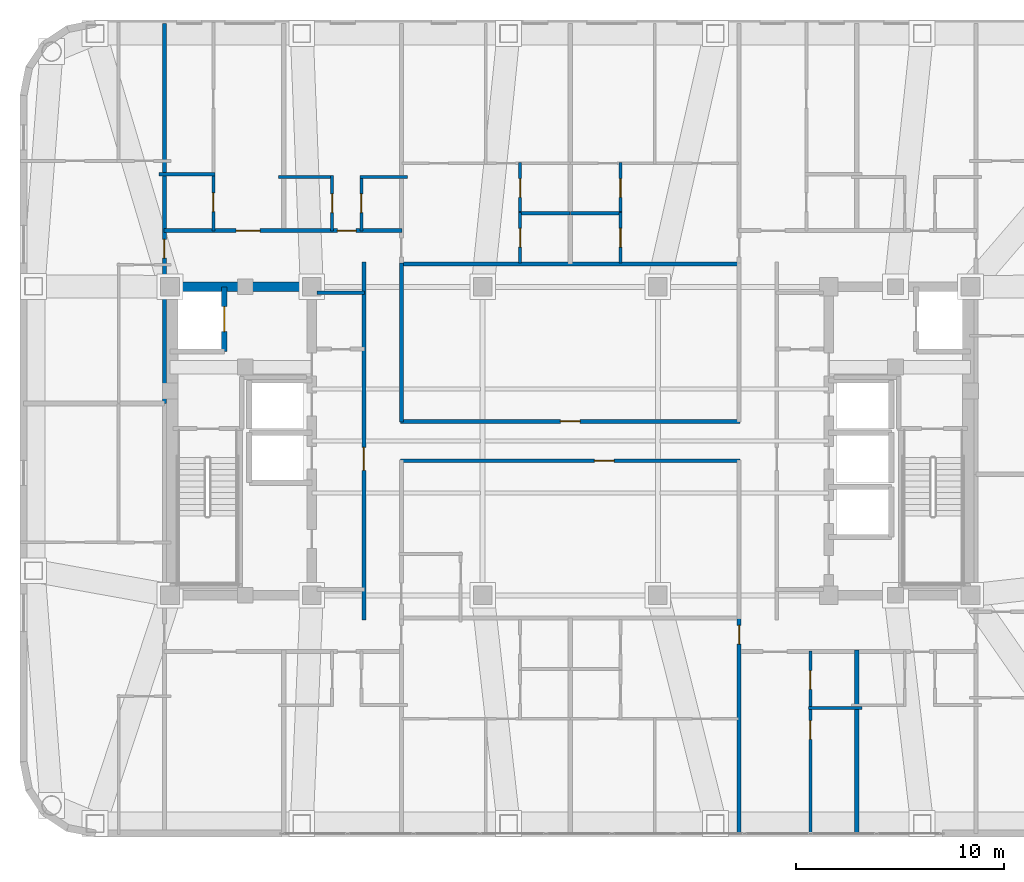
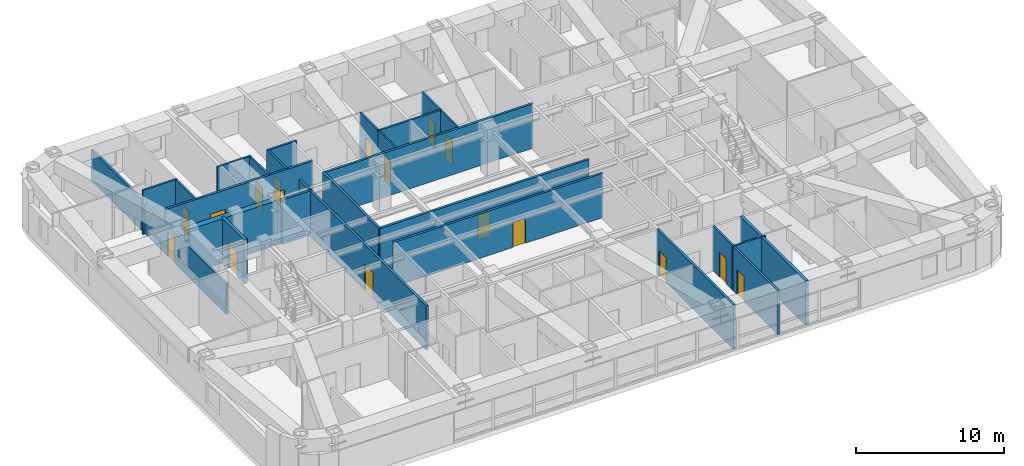
# One storey, part 10 of 16: 27 walls, 17 doors, 17 openings.
"""IFC4 building model written with IfcOpenShell, lengths in metres."""

from ifc_helpers import new_model, si_unit, direction, frame, frame_2d, origin, place, context, subcontext, project, spatial, rectangle, extrude, material, layer, layer_set, type_object, element, fill, save


model = new_model("IFC4")

# Units and contexts
model_context = context("Model", 3, precision=1e-05, world=origin(), true_north=direction((0.0, 1.0)))
body_context = subcontext(model_context, "Body", "Model", "MODEL_VIEW")
ifc_project = project(units=[si_unit("LENGTHUNIT", "METRE"), si_unit("AREAUNIT", "SQUARE_METRE"), si_unit("VOLUMEUNIT", "CUBIC_METRE"), si_unit("PLANEANGLEUNIT", "RADIAN"), si_unit("MASSUNIT", "GRAM", prefix="KILO")], contexts=[model_context])

# Site, building, storey
site_placement = place(None, origin())
site = spatial("IfcSite", under=ifc_project, at=site_placement, CompositionType="ELEMENT")
building_placement = place(site_placement, origin())
building = spatial("IfcBuilding", under=site, at=building_placement, Name="Voryun Gate Residences", CompositionType="ELEMENT")
storey_placement = place(building_placement, frame((0.0, 0.0, 200.199951171875)))
storey = spatial("IfcBuildingStorey", under=building, at=storey_placement, Name="L49", CompositionType="ELEMENT", Elevation=200.199951171875)

# Walls
ifc_material_1 = material(Name="Concrete C50/60", Category="concrete")
ifc_layer_1 = layer(ifc_material_1, 0.449951171875, Name="CW_CORE_450")
ifc_layer_set_1 = layer_set([ifc_layer_1], Name="Concrete C50/60")
wall_type_1 = type_object("IfcWallType", Name="CW_CORE_450", PredefinedType="SHEAR", material=ifc_layer_set_1)
wall_1_placement = place(storey_placement, frame((-19.425048828125, 7.39990234375, 0.0), z_axis=(0.0, 0.0, 1.0), x_axis=(1.0, 0.0, 0.0)))
element("IfcWall", 1, at=wall_1_placement, inside=storey, type_object=wall_type_1, Name="L49 Core shear wall CW-L49-WN", PredefinedType="SHEAR", context=body_context, shape_type="SweptSolid", body=[
    extrude(rectangle(XDim=7.25, YDim=0.449951171875, at=frame_2d((3.625, 0.0))), origin(), (0.0, 0.0, 1.0), 3.650146484375),
])
ifc_material_2 = material(Name="Gypsum acoustic fireboard")
ifc_layer_2 = layer(ifc_material_2, 0.179931640625, Name="W_CORR_RATED_180")
ifc_layer_set_2 = layer_set([ifc_layer_2], Name="Gypsum acoustic fireboard")
wall_type_2 = type_object("IfcWallType", Name="W_CORR_RATED_180", PredefinedType="PARTITIONING", material=ifc_layer_set_2)
wall_2_placement = place(storey_placement, frame((-12.14990234375, 7.1201171875, 0.0), z_axis=(0.0, 0.0, 1.0), x_axis=(1.0, 0.0, 0.0)))
element("IfcWall", 2, at=wall_2_placement, inside=storey, type_object=wall_type_2, Name="Partition wall WP-L49-PLBN-W", PredefinedType="PARTITIONING", context=body_context, shape_type="SweptSolid", body=[
    extrude(rectangle(XDim=2.27001953125, YDim=0.179931640625, at=frame_2d((1.135009765625, 0.0))), origin(), (0.0, 0.0, 1.0), 3.650146484375),
])

# Wall, opening, door
wall_3_placement = place(storey_placement, frame((-9.89990234375, -8.580078125, 0.0), z_axis=(0.0, 0.0, 1.0), x_axis=(0.0, 1.0, 0.0)))
wall_3 = element("IfcWall", 3, at=wall_3_placement, inside=storey, type_object=wall_type_2, Name="Partition wall WP-L49-PLBW-FULL", PredefinedType="PARTITIONING", context=body_context, shape_type="SweptSolid", body=[
    extrude(rectangle(XDim=17.16015625, YDim=0.179931640625, at=frame_2d((8.580078125, 0.0))), origin(), (0.0, 0.0, 1.0), 3.650146484375),
])
opening_1_placement = place(wall_3_placement, frame((7.172119140625, 0.0, 0.0)))
opening_1 = element("IfcOpeningElement", 4, at=opening_1_placement, cuts=wall_3, Name="Opening D-FD60-2", PredefinedType="OPENING", context=body_context, shape_type="SweptSolid", body=[
    extrude(rectangle(XDim=1.10009765625, YDim=2.050048828125, at=frame_2d((0.550048828125, 1.02490234375))), frame((0.0, 0.099853515625, 0.0), z_axis=(0.0, -1.0, 0.0), x_axis=(1.0, 0.0, 0.0)), (0.0, 0.0, 1.0), 0.199951171875),
])
ifc_material_3 = material(Name="Painted steel fire door", Category="steel")
door_type_1 = type_object("IfcDoorType", Name="DR_FD60_FFLOB_1100", OperationType="NOTDEFINED", PredefinedType="DOOR", material=ifc_material_3)
door_1_placement = place(opening_1_placement, origin())
door_1 = element("IfcDoor", 5, at=door_1_placement, inside=storey, type_object=door_type_1, Name="Door DR-L49-PLBW-COR", OperationType="SINGLE_SWING_LEFT", OverallHeight=2.050048828125, OverallWidth=1.10009765625, PredefinedType="DOOR", context=body_context, shape_type="SweptSolid", body=[
    extrude(rectangle(XDim=1.10009765625, YDim=2.050048828125, at=frame_2d((0.550048828125, 1.02490234375))), frame((0.0, 0.02490234375, 0.0), z_axis=(0.0, -1.0, 0.0), x_axis=(1.0, 0.0, 0.0)), (0.0, 0.0, 1.0), 0.050048828125),
])
fill(opening_1, door_1)

# Wall
wall_4_placement = place(storey_placement, frame((-8.14990234375, 8.489990234375, 0.0), z_axis=(0.0, 0.0, 1.0), x_axis=(1.0, 0.0, 0.0)))
element("IfcWall", 6, at=wall_4_placement, inside=storey, type_object=wall_type_2, Name="Partition wall WP-L49-Z2N", PredefinedType="PARTITIONING", context=body_context, shape_type="SweptSolid", body=[
    extrude(rectangle(XDim=16.2998046875, YDim=0.179931640625, at=frame_2d((8.14990234375, 0.0))), origin(), (0.0, 0.0, 1.0), 3.650146484375),
])

# Wall, opening, door
wall_5_placement = place(storey_placement, frame((-8.14990234375, 0.93994140625, 0.0), z_axis=(0.0, 0.0, 1.0), x_axis=(1.0, 0.0, 0.0)))
wall_5 = element("IfcWall", 7, at=wall_5_placement, inside=storey, type_object=wall_type_2, Name="Partition wall WP-L49-Z2HN", PredefinedType="PARTITIONING", context=body_context, shape_type="SweptSolid", body=[
    extrude(rectangle(XDim=16.2998046875, YDim=0.179931640625, at=frame_2d((8.14990234375, 0.0))), origin(), (0.0, 0.0, 1.0), 3.650146484375),
])
opening_2_placement = place(wall_5_placement, frame((7.675048828125, 0.0, 0.0)))
opening_2 = element("IfcOpeningElement", 8, at=opening_2_placement, cuts=wall_5, Name="Opening D-INT-1", PredefinedType="OPENING", context=body_context, shape_type="SweptSolid", body=[
    extrude(rectangle(XDim=0.949951171875, YDim=2.050048828125, at=frame_2d((0.47509765625, 1.02490234375))), frame((0.0, 0.099853515625, 0.0), z_axis=(0.0, -1.0, 0.0), x_axis=(1.0, 0.0, 0.0)), (0.0, 0.0, 1.0), 0.199951171875),
])
ifc_material_4 = material(Name="Architectural oak veneer")
door_type_2 = type_object("IfcDoorType", Name="DR_INT_ROOM_950", OperationType="NOTDEFINED", PredefinedType="DOOR", material=ifc_material_4)
door_2_placement = place(opening_2_placement, origin())
door_2 = element("IfcDoor", 9, at=door_2_placement, inside=storey, type_object=door_type_2, Name="Door DR-L49-Z2NH", OperationType="SINGLE_SWING_LEFT", OverallHeight=2.050048828125, OverallWidth=0.949951171875, PredefinedType="DOOR", context=body_context, shape_type="SweptSolid", body=[
    extrude(rectangle(XDim=0.949951171875, YDim=2.050048828125, at=frame_2d((0.47509765625, 1.02490234375))), frame((0.0, 0.02490234375, 0.0), z_axis=(0.0, -1.0, 0.0), x_axis=(1.0, 0.0, 0.0)), (0.0, 0.0, 1.0), 0.050048828125),
])
fill(opening_2, door_2)

wall_6_placement = place(storey_placement, frame((-8.14990234375, -0.93994140625, 0.0), z_axis=(0.0, 0.0, 1.0), x_axis=(1.0, 0.0, 0.0)))
wall_6 = element("IfcWall", 10, at=wall_6_placement, inside=storey, type_object=wall_type_2, Name="Partition wall WP-L49-Z2HS", PredefinedType="PARTITIONING", context=body_context, shape_type="SweptSolid", body=[
    extrude(rectangle(XDim=16.2998046875, YDim=0.179931640625, at=frame_2d((8.14990234375, 0.0))), origin(), (0.0, 0.0, 1.0), 3.650146484375),
])
opening_3_placement = place(wall_6_placement, frame((9.304931640625, 0.0, 0.0)))
opening_3 = element("IfcOpeningElement", 11, at=opening_3_placement, cuts=wall_6, Name="Opening D-INT-1", PredefinedType="OPENING", context=body_context, shape_type="SweptSolid", body=[
    extrude(rectangle(XDim=0.949951171875, YDim=2.050048828125, at=frame_2d((0.47509765625, 1.02490234375))), frame((0.0, 0.099853515625, 0.0), z_axis=(0.0, -1.0, 0.0), x_axis=(1.0, 0.0, 0.0)), (0.0, 0.0, 1.0), 0.199951171875),
])
door_3_placement = place(opening_3_placement, origin())
door_3 = element("IfcDoor", 12, at=door_3_placement, inside=storey, type_object=door_type_2, Name="Door DR-L49-Z2SH", OperationType="SINGLE_SWING_RIGHT", OverallHeight=2.050048828125, OverallWidth=0.949951171875, PredefinedType="DOOR", context=body_context, shape_type="SweptSolid", body=[
    extrude(rectangle(XDim=0.949951171875, YDim=2.050048828125, at=frame_2d((0.47509765625, 1.02490234375))), frame((0.0, 0.02490234375, 0.0), z_axis=(0.0, -1.0, 0.0), x_axis=(1.0, 0.0, 0.0)), (0.0, 0.0, 1.0), 0.050048828125),
])
fill(opening_3, door_3)

# Wall
wall_7_placement = place(storey_placement, frame((-8.10009765625, 0.919921875, 0.0), z_axis=(0.0, 0.0, 1.0), x_axis=(0.0, 1.0, 0.0)))
element("IfcWall", 13, at=wall_7_placement, inside=storey, type_object=wall_type_2, Name="Partition wall WP-L49-Z2WL1", PredefinedType="PARTITIONING", context=body_context, shape_type="SweptSolid", body=[
    extrude(rectangle(XDim=7.610107421875, YDim=0.179931640625, at=frame_2d((3.80517578125, 0.0))), origin(), (0.0, 0.0, 1.0), 3.650146484375),
])

# Wall, openings, doors
wall_8_placement = place(storey_placement, frame((-19.5, 10.10009765625, 0.0), z_axis=(0.0, 0.0, 1.0), x_axis=(1.0, 0.0, 0.0)))
wall_8 = element("IfcWall", 14, at=wall_8_placement, inside=storey, type_object=wall_type_2, Name="Partition wall WP-L49-NCORR-W", PredefinedType="PARTITIONING", context=body_context, shape_type="SweptSolid", body=[
    extrude(rectangle(XDim=11.419921875, YDim=0.179931640625, at=frame_2d((5.7099609375, 0.0))), origin(), (0.0, 0.0, 1.0), 3.650146484375),
])
opening_4_placement = place(wall_8_placement, frame((3.46435546875, 0.0, 0.0)))
opening_4 = element("IfcOpeningElement", 15, at=opening_4_placement, cuts=wall_8, Name="Opening D-UNIT-1", PredefinedType="OPENING", context=body_context, shape_type="SweptSolid", body=[
    extrude(rectangle(XDim=1.14990234375, YDim=2.050048828125, at=frame_2d((0.574951171875, 1.02490234375))), frame((0.0, 0.099853515625, 0.0), z_axis=(0.0, -1.0, 0.0), x_axis=(1.0, 0.0, 0.0)), (0.0, 0.0, 1.0), 0.199951171875),
])
opening_5_placement = place(wall_8_placement, frame((8.32275390625, 0.0, 0.0)))
opening_5 = element("IfcOpeningElement", 16, at=opening_5_placement, cuts=wall_8, Name="Opening D-INT-2", PredefinedType="OPENING", context=body_context, shape_type="SweptSolid", body=[
    extrude(rectangle(XDim=0.89990234375, YDim=2.050048828125, at=frame_2d((0.449951171875, 1.02490234375))), frame((0.0, 0.099853515625, 0.0), z_axis=(0.0, -1.0, 0.0), x_axis=(1.0, 0.0, 0.0)), (0.0, 0.0, 1.0), 0.199951171875),
])
ifc_material_5 = material(Name="Architectural oak veneer")
door_type_3 = type_object("IfcDoorType", Name="DR_INT_BATH_900", OperationType="NOTDEFINED", PredefinedType="DOOR", material=ifc_material_5)
door_4_placement = place(opening_5_placement, origin())
door_4 = element("IfcDoor", 17, at=door_4_placement, inside=storey, type_object=door_type_3, Name="Door DR-L49-NENT-2", OperationType="SINGLE_SWING_RIGHT", OverallHeight=2.050048828125, OverallWidth=0.89990234375, PredefinedType="DOOR", context=body_context, shape_type="SweptSolid", body=[
    extrude(rectangle(XDim=0.89990234375, YDim=2.050048828125, at=frame_2d((0.449951171875, 1.02490234375))), frame((0.0, 0.02490234375, 0.0), z_axis=(0.0, -1.0, 0.0), x_axis=(1.0, 0.0, 0.0)), (0.0, 0.0, 1.0), 0.050048828125),
])
fill(opening_5, door_4)
ifc_material_6 = material(Name="Armoured timber-clad fire door", Category="wood")
door_type_4 = type_object("IfcDoorType", Name="DR_UNIT_ENTRY_1150", OperationType="NOTDEFINED", PredefinedType="DOOR", material=ifc_material_6)
door_5_placement = place(opening_4_placement, origin())
door_5 = element("IfcDoor", 18, at=door_5_placement, inside=storey, type_object=door_type_4, Name="Door DR-L49-NENT-1", OperationType="SINGLE_SWING_LEFT", OverallHeight=2.050048828125, OverallWidth=1.14990234375, PredefinedType="DOOR", context=body_context, shape_type="SweptSolid", body=[
    extrude(rectangle(XDim=1.14990234375, YDim=2.050048828125, at=frame_2d((0.574951171875, 1.02490234375))), frame((0.0, 0.02490234375, 0.0), z_axis=(0.0, -1.0, 0.0), x_axis=(1.0, 0.0, 0.0)), (0.0, 0.0, 1.0), 0.050048828125),
])
fill(opening_4, door_5)

# Wall, opening, door
wall_9_placement = place(storey_placement, frame((8.10009765625, -18.830078125, 0.0), z_axis=(0.0, 0.0, 1.0), x_axis=(0.0, 1.0, 0.0)))
wall_9 = element("IfcWall", 19, at=wall_9_placement, inside=storey, type_object=wall_type_2, Name="Partition wall WP-L49-SZV-2", PredefinedType="PARTITIONING", context=body_context, shape_type="SweptSolid", body=[
    extrude(rectangle(XDim=10.340087890625, YDim=0.179931640625, at=frame_2d((5.169921875, 0.0))), origin(), (0.0, 0.0, 1.0), 3.650146484375),
])
opening_6_placement = place(wall_9_placement, frame((9.089599609375, 0.0, 0.0)))
opening_6 = element("IfcOpeningElement", 20, at=opening_6_placement, cuts=wall_9, Name="Opening D-INT-2", PredefinedType="OPENING", context=body_context, shape_type="SweptSolid", body=[
    extrude(rectangle(XDim=0.89990234375, YDim=2.050048828125, at=frame_2d((0.449951171875, 1.02490234375))), frame((0.0, 0.099853515625, 0.0), z_axis=(0.0, -1.0, 0.0), x_axis=(1.0, 0.0, 0.0)), (0.0, 0.0, 1.0), 0.199951171875),
])
door_6_placement = place(opening_6_placement, origin())
door_6 = element("IfcDoor", 21, at=door_6_placement, inside=storey, type_object=door_type_3, Name="Door DR-L49-SZENT-2", OperationType="SINGLE_SWING_RIGHT", OverallHeight=2.050048828125, OverallWidth=0.89990234375, PredefinedType="DOOR", context=body_context, shape_type="SweptSolid", body=[
    extrude(rectangle(XDim=0.89990234375, YDim=2.050048828125, at=frame_2d((0.449951171875, 1.02490234375))), frame((0.0, 0.02490234375, 0.0), z_axis=(0.0, -1.0, 0.0), x_axis=(1.0, 0.0, 0.0)), (0.0, 0.0, 1.0), 0.050048828125),
])
fill(opening_6, door_6)

wall_10_placement = place(storey_placement, frame((-19.469970703125, 1.800048828125, 0.0), z_axis=(0.0, 0.0, 1.0), x_axis=(0.0, 1.0, 0.0)))
wall_10 = element("IfcWall", 22, at=wall_10_placement, inside=storey, type_object=wall_type_2, Name="Partition wall WP-L49-WCOR2", PredefinedType="PARTITIONING", context=body_context, shape_type="SweptSolid", body=[
    extrude(rectangle(XDim=18.22998046875, YDim=0.179931640625, at=frame_2d((9.114990234375, 0.0))), origin(), (0.0, 0.0, 1.0), 2.5400390625),
])
opening_7_placement = place(wall_10_placement, frame((6.98046875, 0.0, 0.0)))
opening_7 = element("IfcOpeningElement", 23, at=opening_7_placement, cuts=wall_10, Name="Opening D-INT-2", PredefinedType="OPENING", context=body_context, shape_type="SweptSolid", body=[
    extrude(rectangle(XDim=0.89990234375, YDim=2.050048828125, at=frame_2d((0.449951171875, 1.02490234375))), frame((0.0, 0.099853515625, 0.0), z_axis=(0.0, -1.0, 0.0), x_axis=(1.0, 0.0, 0.0)), (0.0, 0.0, 1.0), 0.199951171875),
])
door_7_placement = place(opening_7_placement, origin())
door_7 = element("IfcDoor", 24, at=door_7_placement, inside=storey, type_object=door_type_3, Name="Door DR-L49-WE2", OperationType="SINGLE_SWING_RIGHT", OverallHeight=2.050048828125, OverallWidth=0.89990234375, PredefinedType="DOOR", context=body_context, shape_type="SweptSolid", body=[
    extrude(rectangle(XDim=0.89990234375, YDim=2.050048828125, at=frame_2d((0.449951171875, 1.02490234375))), frame((0.0, 0.02490234375, 0.0), z_axis=(0.0, -1.0, 0.0), x_axis=(1.0, 0.0, 0.0)), (0.0, 0.0, 1.0), 0.050048828125),
])
fill(opening_7, door_7)

# Wall
ifc_material_7 = material(Name="Concrete C40/50", Category="concrete")
ifc_layer_3 = layer(ifc_material_7, 0.219970703125, Name="W_PARTY_ACOUSTIC_220")
ifc_layer_set_3 = layer_set([ifc_layer_3], Name="Concrete C40/50")
wall_type_3 = type_object("IfcWallType", Name="W_PARTY_ACOUSTIC_220", PredefinedType="PARTITIONING", material=ifc_layer_set_3)
wall_11_placement = place(storey_placement, frame((13.739990234375, -18.830078125, 0.0), z_axis=(0.0, 0.0, 1.0), x_axis=(0.0, 1.0, 0.0)))
element("IfcWall", 25, at=wall_11_placement, inside=storey, type_object=wall_type_3, Name="Partition wall WP-L49-SPTY-4", PredefinedType="PARTITIONING", context=body_context, shape_type="SweptSolid", body=[
    extrude(rectangle(XDim=8.81005859375, YDim=0.219970703125, at=frame_2d((4.405029296875, 0.0))), origin(), (0.0, 0.0, 1.0), 3.650146484375),
])

# Wall, opening, door
ifc_material_8 = material(Name="Concrete C50/60", Category="concrete")
ifc_layer_4 = layer(ifc_material_8, 0.25, Name="W_SHAFT_RC250")
ifc_layer_set_4 = layer_set([ifc_layer_4], Name="Concrete C50/60")
wall_type_4 = type_object("IfcWallType", Name="W_SHAFT_RC250", PredefinedType="SOLIDWALL", material=ifc_layer_set_4)
wall_12_placement = place(storey_placement, frame((-16.60009765625, 4.300048828125, 0.0), z_axis=(0.0, 0.0, 1.0), x_axis=(0.0, 1.0, 0.0)))
wall_12 = element("IfcWall", 26, at=wall_12_placement, inside=storey, type_object=wall_type_4, Name="Lift shaft wall WSH-L49-EL-FF-W1-E", PredefinedType="SOLIDWALL", context=body_context, shape_type="SweptSolid", body=[
    extrude(rectangle(XDim=3.099853515625, YDim=0.25, at=frame_2d((1.5498046875, 0.0))), origin(), (0.0, 0.0, 1.0), 3.650146484375),
])
opening_8_placement = place(wall_12_placement, frame((0.949951171875, 0.0, 0.0)))
opening_8 = element("IfcOpeningElement", 27, at=opening_8_placement, cuts=wall_12, Name="Opening LD1", PredefinedType="OPENING", context=body_context, shape_type="SweptSolid", body=[
    extrude(rectangle(XDim=1.199951171875, YDim=2.050048828125, at=frame_2d((0.60009765625, 1.02490234375))), frame((0.0, 0.135009765625, 0.0), z_axis=(0.0, -1.0, 0.0), x_axis=(1.0, 0.0, 0.0)), (0.0, 0.0, 1.0), 0.27001953125),
])
ifc_material_9 = material(Name="Anodised aluminium", Category="aluminium")
door_type_5 = type_object("IfcDoorType", Name="DR_LD_FF_1200", OperationType="NOTDEFINED", PredefinedType="DOOR", material=ifc_material_9)
door_8_placement = place(opening_8_placement, origin())
door_8 = element("IfcDoor", 28, at=door_8_placement, inside=storey, type_object=door_type_5, Name="Lift EL-FF-W1 sliding landing door L49", OperationType="SLIDING_TO_LEFT", OverallHeight=2.050048828125, OverallWidth=1.199951171875, PredefinedType="DOOR", context=body_context, shape_type="SweptSolid", body=[
    extrude(rectangle(XDim=1.199951171875, YDim=2.050048828125, at=frame_2d((0.60009765625, 1.02490234375))), frame((0.0, 0.02490234375, 0.0), z_axis=(0.0, -1.0, 0.0), x_axis=(1.0, 0.0, 0.0)), (0.0, 0.0, 1.0), 0.050048828125),
])
fill(opening_8, door_8)

ifc_material_10 = material(Name="Gypsum acoustic partition")
ifc_layer_5 = layer(ifc_material_10, 0.125, Name="W_UNIT_PART_125")
ifc_layer_set_5 = layer_set([ifc_layer_5], Name="Gypsum acoustic partition")
wall_type_5 = type_object("IfcWallType", Name="W_UNIT_PART_125", PredefinedType="PARTITIONING", material=ifc_layer_set_5)
wall_13_placement = place(storey_placement, frame((-11.429931640625, 10.080078125, 0.0), z_axis=(0.0, 0.0, 1.0), x_axis=(0.0, 1.0, 0.0)))
wall_13 = element("IfcWall", 29, at=wall_13_placement, inside=storey, type_object=wall_type_5, Name="Partition wall WP-L49-N2-CVK", PredefinedType="PARTITIONING", context=body_context, shape_type="SweptSolid", body=[
    extrude(rectangle(XDim=2.64990234375, YDim=0.125, at=frame_2d((1.324951171875, 0.0))), origin(), (0.0, 0.0, 1.0), 3.650146484375),
])
opening_9_placement = place(wall_13_placement, frame((0.875, 0.0, 0.0)))
opening_9 = element("IfcOpeningElement", 30, at=opening_9_placement, cuts=wall_13, Name="Opening D-INT-2", PredefinedType="OPENING", context=body_context, shape_type="SweptSolid", body=[
    extrude(rectangle(XDim=0.89990234375, YDim=2.050048828125, at=frame_2d((0.449951171875, 1.02490234375))), frame((0.0, 0.072509765625, 0.0), z_axis=(0.0, -1.0, 0.0), x_axis=(1.0, 0.0, 0.0)), (0.0, 0.0, 1.0), 0.14501953125),
])
door_9_placement = place(opening_9_placement, origin())
door_9 = element("IfcDoor", 31, at=door_9_placement, inside=storey, type_object=door_type_3, Name="Door DR-L49-N2-DK", OperationType="SINGLE_SWING_LEFT", OverallHeight=2.050048828125, OverallWidth=0.89990234375, PredefinedType="DOOR", context=body_context, shape_type="SweptSolid", body=[
    extrude(rectangle(XDim=0.89990234375, YDim=2.050048828125, at=frame_2d((0.449951171875, 1.02490234375))), frame((0.0, 0.02490234375, 0.0), z_axis=(0.0, -1.0, 0.0), x_axis=(1.0, 0.0, 0.0)), (0.0, 0.0, 1.0), 0.050048828125),
])
fill(opening_9, door_9)

# Wall
wall_14_placement = place(storey_placement, frame((-14.0, 12.669921875, 0.0), z_axis=(0.0, 0.0, 1.0), x_axis=(1.0, 0.0, 0.0)))
element("IfcWall", 32, at=wall_14_placement, inside=storey, type_object=wall_type_5, Name="Partition wall WP-L49-N2-CHK", PredefinedType="PARTITIONING", context=body_context, shape_type="SweptSolid", body=[
    extrude(rectangle(XDim=2.6298828125, YDim=0.125, at=frame_2d((1.31494140625, 0.0))), origin(), (0.0, 0.0, 1.0), 3.650146484375),
])

# Wall, opening, door
wall_15_placement = place(storey_placement, frame((-2.409912109375, 8.550048828125, 0.0), z_axis=(0.0, 0.0, 1.0), x_axis=(0.0, 1.0, 0.0)))
wall_15 = element("IfcWall", 33, at=wall_15_placement, inside=storey, type_object=wall_type_5, Name="Partition wall WP-L49-NC1-VK1", PredefinedType="PARTITIONING", context=body_context, shape_type="SweptSolid", body=[
    extrude(rectangle(XDim=2.409912109375, YDim=0.125, at=frame_2d((1.205078125, 0.0))), origin(), (0.0, 0.0, 1.0), 3.650146484375),
])
opening_10_placement = place(wall_15_placement, frame((0.7548828125, 0.0, 0.0)))
opening_10 = element("IfcOpeningElement", 34, at=opening_10_placement, cuts=wall_15, Name="Opening D-INT-2", PredefinedType="OPENING", context=body_context, shape_type="SweptSolid", body=[
    extrude(rectangle(XDim=0.89990234375, YDim=2.050048828125, at=frame_2d((0.449951171875, 1.02490234375))), frame((0.0, 0.072509765625, 0.0), z_axis=(0.0, -1.0, 0.0), x_axis=(1.0, 0.0, 0.0)), (0.0, 0.0, 1.0), 0.14501953125),
])
door_10_placement = place(opening_10_placement, origin())
door_10 = element("IfcDoor", 35, at=door_10_placement, inside=storey, type_object=door_type_3, Name="Door DR-L49-NC1-DK", OperationType="SINGLE_SWING_LEFT", OverallHeight=2.050048828125, OverallWidth=0.89990234375, PredefinedType="DOOR", context=body_context, shape_type="SweptSolid", body=[
    extrude(rectangle(XDim=0.89990234375, YDim=2.050048828125, at=frame_2d((0.449951171875, 1.02490234375))), frame((0.0, 0.02490234375, 0.0), z_axis=(0.0, -1.0, 0.0), x_axis=(1.0, 0.0, 0.0)), (0.0, 0.0, 1.0), 0.050048828125),
])
fill(opening_10, door_10)

wall_16_placement = place(storey_placement, frame((2.409912109375, 8.550048828125, 0.0), z_axis=(0.0, 0.0, 1.0), x_axis=(0.0, 1.0, 0.0)))
wall_16 = element("IfcWall", 36, at=wall_16_placement, inside=storey, type_object=wall_type_5, Name="Partition wall WP-L49-NC2-VK1", PredefinedType="PARTITIONING", context=body_context, shape_type="SweptSolid", body=[
    extrude(rectangle(XDim=2.409912109375, YDim=0.125, at=frame_2d((1.205078125, 0.0))), origin(), (0.0, 0.0, 1.0), 3.650146484375),
])
opening_11_placement = place(wall_16_placement, frame((0.7548828125, 0.0, 0.0)))
opening_11 = element("IfcOpeningElement", 37, at=opening_11_placement, cuts=wall_16, Name="Opening D-INT-2", PredefinedType="OPENING", context=body_context, shape_type="SweptSolid", body=[
    extrude(rectangle(XDim=0.89990234375, YDim=2.050048828125, at=frame_2d((0.449951171875, 1.02490234375))), frame((0.0, 0.072509765625, 0.0), z_axis=(0.0, -1.0, 0.0), x_axis=(1.0, 0.0, 0.0)), (0.0, 0.0, 1.0), 0.14501953125),
])
door_11_placement = place(opening_11_placement, origin())
door_11 = element("IfcDoor", 38, at=door_11_placement, inside=storey, type_object=door_type_3, Name="Door DR-L49-NC2-DK", OperationType="SINGLE_SWING_LEFT", OverallHeight=2.050048828125, OverallWidth=0.89990234375, PredefinedType="DOOR", context=body_context, shape_type="SweptSolid", body=[
    extrude(rectangle(XDim=0.89990234375, YDim=2.050048828125, at=frame_2d((0.449951171875, 1.02490234375))), frame((0.0, 0.02490234375, 0.0), z_axis=(0.0, -1.0, 0.0), x_axis=(1.0, 0.0, 0.0)), (0.0, 0.0, 1.0), 0.050048828125),
])
fill(opening_11, door_11)

# Wall
ifc_material_11 = material(Name="Gypsum moisture-resistant partition")
ifc_layer_6 = layer(ifc_material_11, 0.14990234375, Name="W_WET_PLUMB_150")
ifc_layer_set_6 = layer_set([ifc_layer_6], Name="Gypsum moisture-resistant partition")
wall_type_6 = type_object("IfcWallType", Name="W_WET_PLUMB_150", PredefinedType="PLUMBINGWALL", material=ifc_layer_set_6)
wall_17_placement = place(storey_placement, frame((-19.719970703125, 12.800048828125, 0.0), z_axis=(0.0, 0.0, 1.0), x_axis=(1.0, 0.0, 0.0)))
element("IfcWall", 39, at=wall_17_placement, inside=storey, type_object=wall_type_6, Name="Partition wall WP-L49-N1-SKB", PredefinedType="PLUMBINGWALL", context=body_context, shape_type="SweptSolid", body=[
    extrude(rectangle(XDim=2.678955078125, YDim=0.14990234375, at=frame_2d((1.33935546875, 0.0))), origin(), (0.0, 0.0, 1.0), 3.650146484375),
])

# Wall, opening, door
wall_18_placement = place(storey_placement, frame((-17.12109375, 10.080078125, 0.0), z_axis=(0.0, 0.0, 1.0), x_axis=(0.0, 1.0, 0.0)))
wall_18 = element("IfcWall", 40, at=wall_18_placement, inside=storey, type_object=wall_type_6, Name="Partition wall WP-L49-N1-SVT1", PredefinedType="PLUMBINGWALL", context=body_context, shape_type="SweptSolid", body=[
    extrude(rectangle(XDim=2.760009765625, YDim=0.14990234375, at=frame_2d((1.3798828125, 0.0))), origin(), (0.0, 0.0, 1.0), 3.650146484375),
])
opening_12_placement = place(wall_18_placement, frame((0.929931640625, 0.0, 0.0)))
opening_12 = element("IfcOpeningElement", 41, at=opening_12_placement, cuts=wall_18, Name="Opening D-INT-2", PredefinedType="OPENING", context=body_context, shape_type="SweptSolid", body=[
    extrude(rectangle(XDim=0.89990234375, YDim=2.050048828125, at=frame_2d((0.449951171875, 1.02490234375))), frame((0.0, 0.0849609375, 0.0), z_axis=(0.0, -1.0, 0.0), x_axis=(1.0, 0.0, 0.0)), (0.0, 0.0, 1.0), 0.169921875),
])
door_12_placement = place(opening_12_placement, origin())
door_12 = element("IfcDoor", 42, at=door_12_placement, inside=storey, type_object=door_type_3, Name="Door DR-L49-N1-DB", OperationType="SINGLE_SWING_LEFT", OverallHeight=2.050048828125, OverallWidth=0.89990234375, PredefinedType="DOOR", context=body_context, shape_type="SweptSolid", body=[
    extrude(rectangle(XDim=0.89990234375, YDim=2.050048828125, at=frame_2d((0.449951171875, 1.02490234375))), frame((0.0, 0.02490234375, 0.0), z_axis=(0.0, -1.0, 0.0), x_axis=(1.0, 0.0, 0.0)), (0.0, 0.0, 1.0), 0.050048828125),
])
fill(opening_12, door_12)

wall_19_placement = place(storey_placement, frame((-10.02392578125, 10.080078125, 0.0), z_axis=(0.0, 0.0, 1.0), x_axis=(0.0, 1.0, 0.0)))
wall_19 = element("IfcWall", 43, at=wall_19_placement, inside=storey, type_object=wall_type_6, Name="Partition wall WP-L49-N2-CVB", PredefinedType="PLUMBINGWALL", context=body_context, shape_type="SweptSolid", body=[
    extrude(rectangle(XDim=2.64990234375, YDim=0.14990234375, at=frame_2d((1.324951171875, 0.0))), origin(), (0.0, 0.0, 1.0), 3.650146484375),
])
opening_13_placement = place(wall_19_placement, frame((0.875, 0.0, 0.0)))
opening_13 = element("IfcOpeningElement", 44, at=opening_13_placement, cuts=wall_19, Name="Opening D-INT-2", PredefinedType="OPENING", context=body_context, shape_type="SweptSolid", body=[
    extrude(rectangle(XDim=0.89990234375, YDim=2.050048828125, at=frame_2d((0.449951171875, 1.02490234375))), frame((0.0, 0.0849609375, 0.0), z_axis=(0.0, -1.0, 0.0), x_axis=(1.0, 0.0, 0.0)), (0.0, 0.0, 1.0), 0.169921875),
])
door_13_placement = place(opening_13_placement, origin())
door_13 = element("IfcDoor", 45, at=door_13_placement, inside=storey, type_object=door_type_3, Name="Door DR-L49-N2-DB", OperationType="SINGLE_SWING_RIGHT", OverallHeight=2.050048828125, OverallWidth=0.89990234375, PredefinedType="DOOR", context=body_context, shape_type="SweptSolid", body=[
    extrude(rectangle(XDim=0.89990234375, YDim=2.050048828125, at=frame_2d((0.449951171875, 1.02490234375))), frame((0.0, 0.02490234375, 0.0), z_axis=(0.0, -1.0, 0.0), x_axis=(1.0, 0.0, 0.0)), (0.0, 0.0, 1.0), 0.050048828125),
])
fill(opening_13, door_13)

# Wall
wall_20_placement = place(storey_placement, frame((-10.083984375, 12.669921875, 0.0), z_axis=(0.0, 0.0, 1.0), x_axis=(1.0, 0.0, 0.0)))
element("IfcWall", 46, at=wall_20_placement, inside=storey, type_object=wall_type_6, Name="Partition wall WP-L49-N2-CHB", PredefinedType="PLUMBINGWALL", context=body_context, shape_type="SweptSolid", body=[
    extrude(rectangle(XDim=2.263916015625, YDim=0.14990234375, at=frame_2d((1.1318359375, 0.0))), origin(), (0.0, 0.0, 1.0), 3.650146484375),
])

# Wall, opening, door
wall_21_placement = place(storey_placement, frame((-2.409912109375, 10.89990234375, 0.0), z_axis=(0.0, 0.0, 1.0), x_axis=(0.0, 1.0, 0.0)))
wall_21 = element("IfcWall", 47, at=wall_21_placement, inside=storey, type_object=wall_type_6, Name="Partition wall WP-L49-NC1-VK2", PredefinedType="PLUMBINGWALL", context=body_context, shape_type="SweptSolid", body=[
    extrude(rectangle(XDim=2.47021484375, YDim=0.14990234375, at=frame_2d((1.235107421875, 0.0))), origin(), (0.0, 0.0, 1.0), 3.650146484375),
])
opening_14_placement = place(wall_21_placement, frame((0.784912109375, 0.0, 0.0)))
opening_14 = element("IfcOpeningElement", 48, at=opening_14_placement, cuts=wall_21, Name="Opening D-INT-2", PredefinedType="OPENING", context=body_context, shape_type="SweptSolid", body=[
    extrude(rectangle(XDim=0.89990234375, YDim=2.050048828125, at=frame_2d((0.449951171875, 1.02490234375))), frame((0.0, 0.0849609375, 0.0), z_axis=(0.0, -1.0, 0.0), x_axis=(1.0, 0.0, 0.0)), (0.0, 0.0, 1.0), 0.169921875),
])
door_14_placement = place(opening_14_placement, origin())
door_14 = element("IfcDoor", 49, at=door_14_placement, inside=storey, type_object=door_type_3, Name="Door DR-L49-NC1-DB", OperationType="SINGLE_SWING_RIGHT", OverallHeight=2.050048828125, OverallWidth=0.89990234375, PredefinedType="DOOR", context=body_context, shape_type="SweptSolid", body=[
    extrude(rectangle(XDim=0.89990234375, YDim=2.050048828125, at=frame_2d((0.449951171875, 1.02490234375))), frame((0.0, 0.02490234375, 0.0), z_axis=(0.0, -1.0, 0.0), x_axis=(1.0, 0.0, 0.0)), (0.0, 0.0, 1.0), 0.050048828125),
])
fill(opening_14, door_14)

# Wall
wall_22_placement = place(storey_placement, frame((-2.449951171875, 10.929931640625, 0.0), z_axis=(0.0, 0.0, 1.0), x_axis=(1.0, 0.0, 0.0)))
element("IfcWall", 50, at=wall_22_placement, inside=storey, type_object=wall_type_6, Name="Partition wall WP-L49-NC1-HKB", PredefinedType="PLUMBINGWALL", context=body_context, shape_type="SweptSolid", body=[
    extrude(rectangle(XDim=2.429931640625, YDim=0.14990234375, at=frame_2d((1.21484375, 0.0))), origin(), (0.0, 0.0, 1.0), 3.650146484375),
])

# Wall, opening, door
wall_23_placement = place(storey_placement, frame((2.409912109375, 10.89990234375, 0.0), z_axis=(0.0, 0.0, 1.0), x_axis=(0.0, 1.0, 0.0)))
wall_23 = element("IfcWall", 51, at=wall_23_placement, inside=storey, type_object=wall_type_6, Name="Partition wall WP-L49-NC2-VK2", PredefinedType="PLUMBINGWALL", context=body_context, shape_type="SweptSolid", body=[
    extrude(rectangle(XDim=2.47021484375, YDim=0.14990234375, at=frame_2d((1.235107421875, 0.0))), origin(), (0.0, 0.0, 1.0), 3.650146484375),
])
opening_15_placement = place(wall_23_placement, frame((0.784912109375, 0.0, 0.0)))
opening_15 = element("IfcOpeningElement", 52, at=opening_15_placement, cuts=wall_23, Name="Opening D-INT-2", PredefinedType="OPENING", context=body_context, shape_type="SweptSolid", body=[
    extrude(rectangle(XDim=0.89990234375, YDim=2.050048828125, at=frame_2d((0.449951171875, 1.02490234375))), frame((0.0, 0.0849609375, 0.0), z_axis=(0.0, -1.0, 0.0), x_axis=(1.0, 0.0, 0.0)), (0.0, 0.0, 1.0), 0.169921875),
])
door_15_placement = place(opening_15_placement, origin())
door_15 = element("IfcDoor", 53, at=door_15_placement, inside=storey, type_object=door_type_3, Name="Door DR-L49-NC2-DB", OperationType="SINGLE_SWING_RIGHT", OverallHeight=2.050048828125, OverallWidth=0.89990234375, PredefinedType="DOOR", context=body_context, shape_type="SweptSolid", body=[
    extrude(rectangle(XDim=0.89990234375, YDim=2.050048828125, at=frame_2d((0.449951171875, 1.02490234375))), frame((0.0, 0.02490234375, 0.0), z_axis=(0.0, -1.0, 0.0), x_axis=(1.0, 0.0, 0.0)), (0.0, 0.0, 1.0), 0.050048828125),
])
fill(opening_15, door_15)

# Walls
wall_24_placement = place(storey_placement, frame((0.02001953125, 10.929931640625, 0.0), z_axis=(0.0, 0.0, 1.0), x_axis=(1.0, 0.0, 0.0)))
element("IfcWall", 54, at=wall_24_placement, inside=storey, type_object=wall_type_6, Name="Partition wall WP-L49-NC2-HKB", PredefinedType="PLUMBINGWALL", context=body_context, shape_type="SweptSolid", body=[
    extrude(rectangle(XDim=2.429931640625, YDim=0.14990234375, at=frame_2d((1.21484375, 0.0))), origin(), (0.0, 0.0, 1.0), 3.650146484375),
])
wall_25_placement = place(storey_placement, frame((11.43896484375, -12.800048828125, 0.0), z_axis=(0.0, 0.0, 1.0), x_axis=(1.0, 0.0, 0.0)))
element("IfcWall", 55, at=wall_25_placement, inside=storey, type_object=wall_type_6, Name="Partition wall WP-L49-S4-SKB", PredefinedType="PLUMBINGWALL", context=body_context, shape_type="SweptSolid", body=[
    extrude(rectangle(XDim=2.56103515625, YDim=0.14990234375, at=frame_2d((1.280517578125, 0.0))), origin(), (0.0, 0.0, 1.0), 3.650146484375),
])

# Wall, opening, door
wall_26_placement = place(storey_placement, frame((11.51904296875, -18.876708984375, 0.0), z_axis=(0.0, 0.0, 1.0), x_axis=(0.0, 1.0, 0.0)))
wall_26 = element("IfcWall", 56, at=wall_26_placement, inside=storey, type_object=wall_type_6, Name="Partition wall WP-L49-S4-SVT1", PredefinedType="PLUMBINGWALL", context=body_context, shape_type="SweptSolid", body=[
    extrude(rectangle(XDim=6.11669921875, YDim=0.14990234375, at=frame_2d((3.058349609375, 0.0))), origin(), (0.0, 0.0, 1.0), 3.650146484375),
])
opening_16_placement = place(wall_26_placement, frame((4.56591796875, 0.0, 0.0)))
opening_16 = element("IfcOpeningElement", 57, at=opening_16_placement, cuts=wall_26, Name="Opening D-INT-2", PredefinedType="OPENING", context=body_context, shape_type="SweptSolid", body=[
    extrude(rectangle(XDim=0.89990234375, YDim=2.050048828125, at=frame_2d((0.449951171875, 1.02490234375))), frame((0.0, 0.0849609375, 0.0), z_axis=(0.0, -1.0, 0.0), x_axis=(1.0, 0.0, 0.0)), (0.0, 0.0, 1.0), 0.169921875),
])
door_16_placement = place(opening_16_placement, origin())
door_16 = element("IfcDoor", 58, at=door_16_placement, inside=storey, type_object=door_type_3, Name="Door DR-L49-S4-DK", OperationType="SINGLE_SWING_LEFT", OverallHeight=2.050048828125, OverallWidth=0.89990234375, PredefinedType="DOOR", context=body_context, shape_type="SweptSolid", body=[
    extrude(rectangle(XDim=0.89990234375, YDim=2.050048828125, at=frame_2d((0.449951171875, 1.02490234375))), frame((0.0, 0.02490234375, 0.0), z_axis=(0.0, -1.0, 0.0), x_axis=(1.0, 0.0, 0.0)), (0.0, 0.0, 1.0), 0.050048828125),
])
fill(opening_16, door_16)

wall_27_placement = place(storey_placement, frame((11.51904296875, -12.840087890625, 0.0), z_axis=(0.0, 0.0, 1.0), x_axis=(0.0, 1.0, 0.0)))
wall_27 = element("IfcWall", 59, at=wall_27_placement, inside=storey, type_object=wall_type_6, Name="Partition wall WP-L49-S4-SVT2", PredefinedType="PLUMBINGWALL", context=body_context, shape_type="SweptSolid", body=[
    extrude(rectangle(XDim=2.760009765625, YDim=0.14990234375, at=frame_2d((1.3798828125, 0.0))), origin(), (0.0, 0.0, 1.0), 3.650146484375),
])
opening_17_placement = place(wall_27_placement, frame((0.929931640625, 0.0, 0.0)))
opening_17 = element("IfcOpeningElement", 60, at=opening_17_placement, cuts=wall_27, Name="Opening D-INT-2", PredefinedType="OPENING", context=body_context, shape_type="SweptSolid", body=[
    extrude(rectangle(XDim=0.89990234375, YDim=2.050048828125, at=frame_2d((0.449951171875, 1.02490234375))), frame((0.0, 0.0849609375, 0.0), z_axis=(0.0, -1.0, 0.0), x_axis=(1.0, 0.0, 0.0)), (0.0, 0.0, 1.0), 0.169921875),
])
door_17_placement = place(opening_17_placement, origin())
door_17 = element("IfcDoor", 61, at=door_17_placement, inside=storey, type_object=door_type_3, Name="Door DR-L49-S4-DB", OperationType="SINGLE_SWING_RIGHT", OverallHeight=2.050048828125, OverallWidth=0.89990234375, PredefinedType="DOOR", context=body_context, shape_type="SweptSolid", body=[
    extrude(rectangle(XDim=0.89990234375, YDim=2.050048828125, at=frame_2d((0.449951171875, 1.02490234375))), frame((0.0, 0.02490234375, 0.0), z_axis=(0.0, -1.0, 0.0), x_axis=(1.0, 0.0, 0.0)), (0.0, 0.0, 1.0), 0.050048828125),
])
fill(opening_17, door_17)

save(model, "model.ifc")
